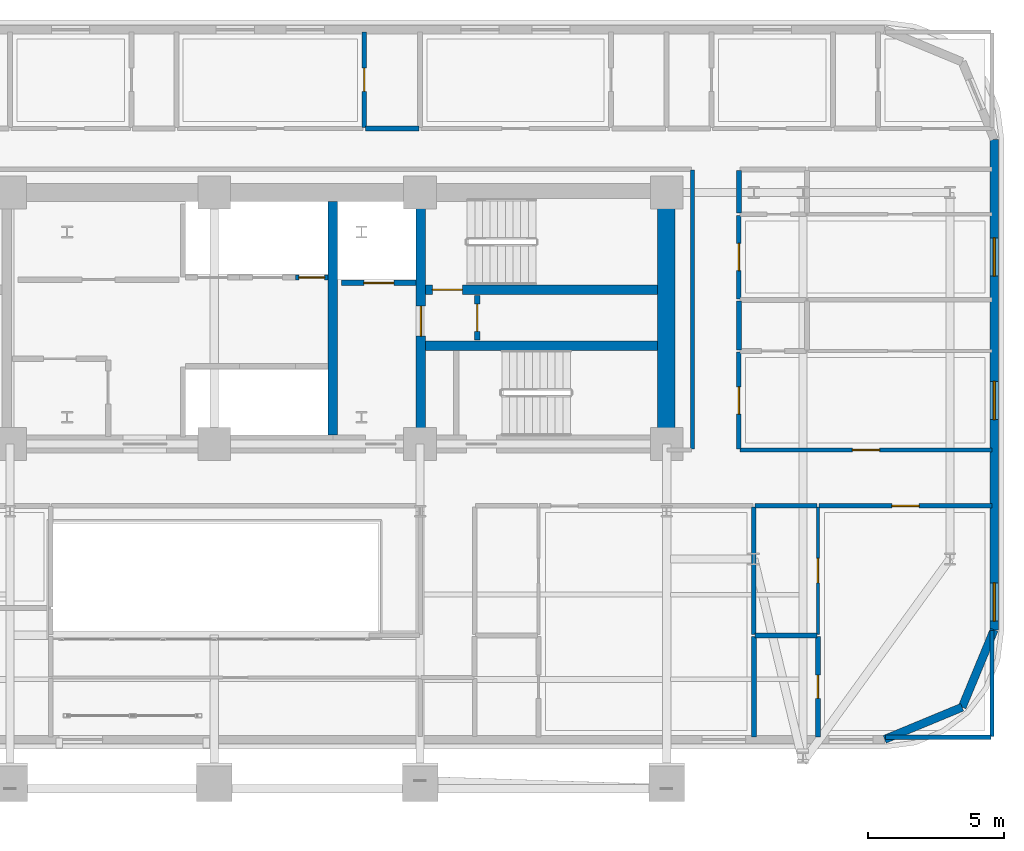
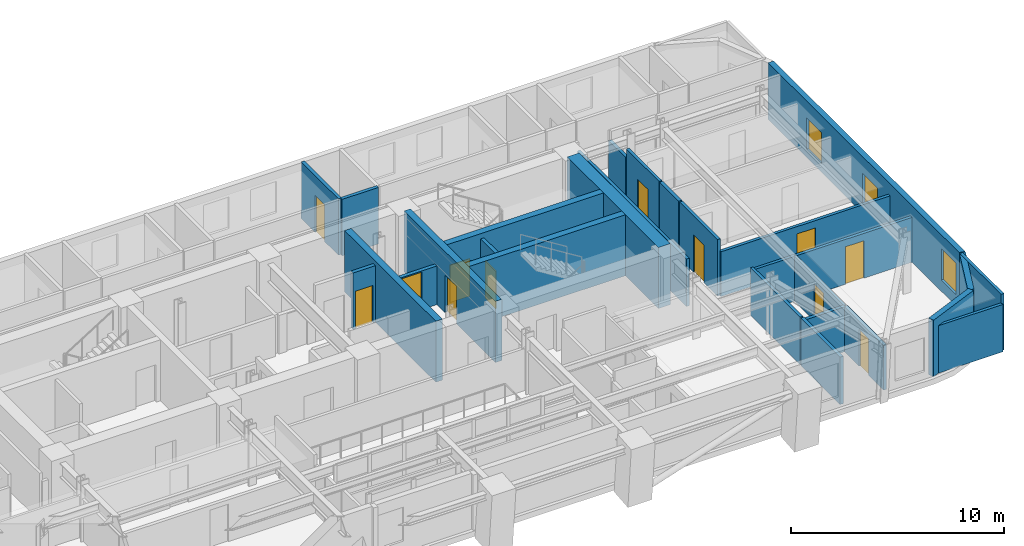
# One storey, part 11 of 16: 28 walls, 12 doors, 3 windows, 15 openings.
"""IFC4 building model written with IfcOpenShell, lengths in metres."""

from ifc_helpers import new_model, si_unit, direction, frame, frame_2d, origin, place, context, subcontext, project, spatial, rectangle, extrude, material, layer, layer_set, type_object, element, fill, save


model = new_model("IFC4")

# Units and contexts
model_context = context("Model", 3, precision=1e-05, world=origin(), true_north=direction((0.0, 1.0)))
body_context = subcontext(model_context, "Body", "Model", "MODEL_VIEW")
ifc_project = project(units=[si_unit("LENGTHUNIT", "METRE"), si_unit("AREAUNIT", "SQUARE_METRE"), si_unit("VOLUMEUNIT", "CUBIC_METRE"), si_unit("PLANEANGLEUNIT", "RADIAN"), si_unit("MASSUNIT", "GRAM", prefix="KILO")], contexts=[model_context])

# Site, building, storey
site_placement = place(None, origin())
site = spatial("IfcSite", under=ifc_project, at=site_placement, CompositionType="ELEMENT")
building_placement = place(site_placement, origin())
building = spatial("IfcBuilding", under=site, at=building_placement, Name="Zarnavel Station Tower", CompositionType="ELEMENT")
storey_placement = place(building_placement, frame((0.0, 0.0, 118.800048828125)))
storey = spatial("IfcBuildingStorey", under=building, at=storey_placement, Name="L32", CompositionType="ELEMENT", Elevation=118.800048828125)

# Wall
ifc_material_1 = material(Name="Concrete C50/60", Category="concrete")
ifc_layer_1 = layer(ifc_material_1, 0.35009765625)
ifc_layer_set_1 = layer_set([ifc_layer_1], Name="CW_350")
wall_type_1 = type_object("IfcWallType", Name="CW_350", PredefinedType="SHEAR", material=ifc_layer_set_1)
wall_1_placement = place(storey_placement, frame((33.14990234375, 28.14501953125, 0.0), z_axis=(0.0, 0.0, 1.0), x_axis=(0.0, 1.0, 0.0)))
element("IfcWall", 1, at=wall_1_placement, inside=storey, type_object=wall_type_1, Name="L32 Rear Core Shear Wall DIV-E", PredefinedType="SHEAR", context=body_context, shape_type="SweptSolid", body=[
    extrude(rectangle(XDim=8.580078125, YDim=0.35009765625, at=frame_2d((4.2900390625, 0.0))), origin(), (0.0, 0.0, 1.0), 3.5),
])

# Wall, opening, door
wall_2_placement = place(storey_placement, frame((36.3798828125, 28.14501953125, 0.0), z_axis=(0.0, 0.0, 1.0), x_axis=(0.0, 1.0, 0.0)))
wall_2 = element("IfcWall", 2, at=wall_2_placement, inside=storey, type_object=wall_type_1, Name="L32 Rear Core Shear Wall DIV-S2", PredefinedType="SHEAR", context=body_context, shape_type="SweptSolid", body=[
    extrude(rectangle(XDim=8.580078125, YDim=0.35009765625, at=frame_2d((4.2900390625, 0.0))), origin(), (0.0, 0.0, 1.0), 3.5),
])
opening_1_placement = place(wall_2_placement, frame((3.635009765625, 0.0, 0.0)))
opening_1 = element("IfcOpeningElement", 3, at=opening_1_placement, cuts=wall_2, Name="Opening FD01", PredefinedType="OPENING", context=body_context, shape_type="SweptSolid", body=[
    extrude(rectangle(XDim=1.10009765625, YDim=2.14990234375, at=frame_2d((0.550048828125, 1.074951171875))), frame((0.0, 0.18505859375, 0.0), z_axis=(0.0, -1.0, 0.0), x_axis=(1.0, 0.0, 0.0)), (0.0, 0.0, 1.0), 0.3701171875),
])
ifc_material_2 = material(Name="Painted Galvanised Steel and Hardwood Leaf", Category="steel")
door_type_1 = type_object("IfcDoorType", Name="ID_STAIR_1100", OperationType="NOTDEFINED", PredefinedType="DOOR", material=ifc_material_2)
door_1_placement = place(opening_1_placement, origin())
door_1 = element("IfcDoor", 4, at=door_1_placement, inside=storey, type_object=door_type_1, Name="L32 East Stair Vestibule Fire Door", OperationType="SINGLE_SWING_LEFT", OverallHeight=2.14990234375, OverallWidth=1.10009765625, PredefinedType="DOOR", context=body_context, shape_type="SweptSolid", body=[
    extrude(rectangle(XDim=1.10009765625, YDim=2.14990234375, at=frame_2d((0.550048828125, 1.074951171875))), frame((0.0, 0.02490234375, 0.0), z_axis=(0.0, -1.0, 0.0), x_axis=(1.0, 0.0, 0.0)), (0.0, 0.0, 1.0), 0.050048828125),
])
fill(opening_1, door_1)

wall_3_placement = place(storey_placement, frame((45.054931640625, 33.47998046875, 0.0), z_axis=(0.0, 0.0, 1.0), x_axis=(-1.0, 0.0, 0.0)))
wall_3 = element("IfcWall", 5, at=wall_3_placement, inside=storey, type_object=wall_type_1, Name="L32 Rear Core Shear Wall DIV-H2", PredefinedType="SHEAR", context=body_context, shape_type="SweptSolid", body=[
    extrude(rectangle(XDim=8.5, YDim=0.35009765625, at=frame_2d((4.25, 0.0))), origin(), (0.0, 0.0, 1.0), 3.5),
])
opening_2_placement = place(wall_3_placement, frame((7.155029296875, 0.0, 0.0)))
opening_2 = element("IfcOpeningElement", 6, at=opening_2_placement, cuts=wall_3, Name="Opening FD01", PredefinedType="OPENING", context=body_context, shape_type="SweptSolid", body=[
    extrude(rectangle(XDim=1.10009765625, YDim=2.14990234375, at=frame_2d((0.550048828125, 1.074951171875))), frame((0.0, 0.18505859375, 0.0), z_axis=(0.0, -1.0, 0.0), x_axis=(1.0, 0.0, 0.0)), (0.0, 0.0, 1.0), 0.3701171875),
])
door_2_placement = place(opening_2_placement, origin())
door_2 = element("IfcDoor", 7, at=door_2_placement, inside=storey, type_object=door_type_1, Name="L32 Stair ST2 Lobby Fire Door", OperationType="SINGLE_SWING_RIGHT", OverallHeight=2.14990234375, OverallWidth=1.10009765625, PredefinedType="DOOR", context=body_context, shape_type="SweptSolid", body=[
    extrude(rectangle(XDim=1.10009765625, YDim=2.14990234375, at=frame_2d((0.550048828125, 1.074951171875))), frame((0.0, 0.02490234375, 0.0), z_axis=(0.0, -1.0, 0.0), x_axis=(1.0, 0.0, 0.0)), (0.0, 0.0, 1.0), 0.050048828125),
])
fill(opening_2, door_2)

# Walls
wall_4_placement = place(storey_placement, frame((36.554931640625, 31.419921875, 0.0), z_axis=(0.0, 0.0, 1.0), x_axis=(1.0, 0.0, 0.0)))
element("IfcWall", 8, at=wall_4_placement, inside=storey, type_object=wall_type_1, Name="L32 Rear Core Shear Wall DIV-H3", PredefinedType="SHEAR", context=body_context, shape_type="SweptSolid", body=[
    extrude(rectangle(XDim=8.5, YDim=0.35009765625, at=frame_2d((4.25, 0.0))), origin(), (0.0, 0.0, 1.0), 3.5),
])
ifc_material_3 = material(Name="Concrete C60/75", Category="concrete")
ifc_layer_2 = layer(ifc_material_3, 0.64990234375)
ifc_layer_set_2 = layer_set([ifc_layer_2], Name="CW_650")
wall_type_2 = type_object("IfcWallType", Name="CW_650", PredefinedType="SHEAR", material=ifc_layer_set_2)
wall_5_placement = place(storey_placement, frame((45.3798828125, 28.14501953125, 0.0), z_axis=(0.0, 0.0, 1.0), x_axis=(0.0, 1.0, 0.0)))
element("IfcWall", 9, at=wall_5_placement, inside=storey, type_object=wall_type_2, Name="L32 Rear Core Shear Wall E", PredefinedType="SHEAR", context=body_context, shape_type="SweptSolid", body=[
    extrude(rectangle(XDim=8.580078125, YDim=0.64990234375, at=frame_2d((4.2900390625, 0.0))), origin(), (0.0, 0.0, 1.0), 3.5),
])
ifc_material_4 = material(Name="Precast concrete C45/55 (Dark Basalt Finish)", Category="masonry")
ifc_layer_3 = layer(ifc_material_4, 0.300048828125)
ifc_layer_set_3 = layer_set([ifc_layer_3], Name="EW_BASALT_300")
wall_type_3 = type_object("IfcWallType", Name="EW_BASALT_300", PredefinedType="SOLIDWALL", material=ifc_layer_set_3)
wall_6_placement = place(storey_placement, frame((56.24267578125, 18.157470703125, 0.0), z_axis=(0.0, 0.0, 1.0), x_axis=(-0.923882414032, -0.382676475685, 0.0)))
element("IfcWall", 10, at=wall_6_placement, inside=storey, type_object=wall_type_3, Name="L32 Exterior Basalt Masonry Frame Wall 01", PredefinedType="SOLIDWALL", context=body_context, shape_type="SweptSolid", body=[
    extrude(rectangle(XDim=3.076904296875, YDim=0.300048828125, at=frame_2d((1.53857421875, 0.0))), origin(), (0.0, 0.0, 1.0), 3.239990234375),
])
wall_7_placement = place(storey_placement, frame((57.419921875, 21.0, 0.0), z_axis=(0.0, 0.0, 1.0), x_axis=(-0.382636798336, -0.92389884758, 0.0)))
element("IfcWall", 11, at=wall_7_placement, inside=storey, type_object=wall_type_3, Name="L32 Exterior Basalt Masonry Frame Wall 02", PredefinedType="SOLIDWALL", context=body_context, shape_type="SweptSolid", body=[
    extrude(rectangle(XDim=3.07666015625, YDim=0.300048828125, at=frame_2d((1.538330078125, 0.0))), origin(), (0.0, 0.0, 1.0), 3.239990234375),
])

# Wall, openings, windows
wall_8_placement = place(storey_placement, frame((57.419921875, 39.0, 0.0), z_axis=(0.0, 0.0, 1.0), x_axis=(0.0, -1.0, 0.0)))
wall_8 = element("IfcWall", 12, at=wall_8_placement, inside=storey, type_object=wall_type_3, Name="L32 Exterior Basalt Masonry Frame Wall 03", PredefinedType="SOLIDWALL", context=body_context, shape_type="SweptSolid", body=[
    extrude(rectangle(XDim=18.0, YDim=0.300048828125, at=frame_2d((9.0, 0.0))), origin(), (0.0, 0.0, 1.0), 3.239990234375),
])
opening_3_placement = place(wall_8_placement, frame((8.882080078125, 0.0, 0.47998046875)))
opening_3 = element("IfcOpeningElement", 13, at=opening_3_placement, cuts=wall_8, Name="Opening WN01", PredefinedType="OPENING", context=body_context, shape_type="SweptSolid", body=[
    extrude(rectangle(XDim=1.39990234375, YDim=1.800048828125, at=frame_2d((0.699951171875, 0.89990234375))), frame((0.0, 0.159912109375, 0.0), z_axis=(0.0, -1.0, 0.0), x_axis=(1.0, 0.0, 0.0)), (0.0, 0.0, 1.0), 0.320068359375),
])
opening_4_placement = place(wall_8_placement, frame((3.62060546875, 0.0, 0.47998046875)))
opening_4 = element("IfcOpeningElement", 14, at=opening_4_placement, cuts=wall_8, Name="Opening WN01", PredefinedType="OPENING", context=body_context, shape_type="SweptSolid", body=[
    extrude(rectangle(XDim=1.39990234375, YDim=1.800048828125, at=frame_2d((0.699951171875, 0.89990234375))), frame((0.0, 0.159912109375, 0.0), z_axis=(0.0, -1.0, 0.0), x_axis=(1.0, 0.0, 0.0)), (0.0, 0.0, 1.0), 0.320068359375),
])
opening_5_placement = place(wall_8_placement, frame((16.280029296875, 0.0, 0.64990234375)))
opening_5 = element("IfcOpeningElement", 15, at=opening_5_placement, cuts=wall_8, Name="Opening WN01", PredefinedType="OPENING", context=body_context, shape_type="SweptSolid", body=[
    extrude(rectangle(XDim=1.39990234375, YDim=1.800048828125, at=frame_2d((0.699951171875, 0.89990234375))), frame((0.0, 0.159912109375, 0.0), z_axis=(0.0, -1.0, 0.0), x_axis=(1.0, 0.0, 0.0)), (0.0, 0.0, 1.0), 0.320068359375),
])
ifc_material_5 = material(Name="Thermally Broken Black Aluminium and Low-E Dark Glass", Category="aluminium")
window_type = type_object("IfcWindowType", Name="WN_1400x1800", PartitioningType="DOUBLE_PANEL_VERTICAL", PredefinedType="WINDOW", material=ifc_material_5)
window_1_placement = place(opening_3_placement, origin())
window_1 = element("IfcWindow", 16, at=window_1_placement, inside=storey, type_object=window_type, Name="L32 Recessed Facade Window 01", OverallHeight=1.800048828125, OverallWidth=1.39990234375, PartitioningType="SINGLE_PANEL", PredefinedType="WINDOW", context=body_context, shape_type="SweptSolid", body=[
    extrude(rectangle(XDim=1.39990234375, YDim=1.800048828125, at=frame_2d((0.699951171875, 0.89990234375))), frame((0.0, 0.030029296875, 0.0), z_axis=(0.0, -1.0, 0.0), x_axis=(1.0, 0.0, 0.0)), (0.0, 0.0, 1.0), 0.06005859375),
])
fill(opening_3, window_1)
window_2_placement = place(opening_4_placement, origin())
window_2 = element("IfcWindow", 17, at=window_2_placement, inside=storey, type_object=window_type, Name="L32 Recessed Facade Window 02", OverallHeight=1.800048828125, OverallWidth=1.39990234375, PartitioningType="SINGLE_PANEL", PredefinedType="WINDOW", context=body_context, shape_type="SweptSolid", body=[
    extrude(rectangle(XDim=1.39990234375, YDim=1.800048828125, at=frame_2d((0.699951171875, 0.89990234375))), frame((0.0, 0.030029296875, 0.0), z_axis=(0.0, -1.0, 0.0), x_axis=(1.0, 0.0, 0.0)), (0.0, 0.0, 1.0), 0.06005859375),
])
fill(opening_4, window_2)
window_3_placement = place(opening_5_placement, origin())
window_3 = element("IfcWindow", 18, at=window_3_placement, inside=storey, type_object=window_type, Name="L32 Recessed Facade Window 03", OverallHeight=1.800048828125, OverallWidth=1.39990234375, PartitioningType="SINGLE_PANEL", PredefinedType="WINDOW", context=body_context, shape_type="SweptSolid", body=[
    extrude(rectangle(XDim=1.39990234375, YDim=1.800048828125, at=frame_2d((0.699951171875, 0.89990234375))), frame((0.0, 0.030029296875, 0.0), z_axis=(0.0, -1.0, 0.0), x_axis=(1.0, 0.0, 0.0)), (0.0, 0.0, 1.0), 0.06005859375),
])
fill(opening_5, window_3)

# Wall, opening, door
ifc_material_6 = material(Name="Gypsum Twin-Stud Acoustic Fire Partition", Category="concrete")
ifc_layer_4 = layer(ifc_material_6, 0.159912109375)
ifc_layer_set_4 = layer_set([ifc_layer_4], Name="PT_DEMISE_160")
wall_type_4 = type_object("IfcWallType", Name="PT_DEMISE_160", PredefinedType="PARTITIONING", material=ifc_layer_set_4)
wall_9_placement = place(storey_placement, frame((48.090087890625, 27.60009765625, 0.0), z_axis=(0.0, 0.0, 1.0), x_axis=(1.0, 0.0, 0.0)))
wall_9 = element("IfcWall", 19, at=wall_9_placement, inside=storey, type_object=wall_type_4, Name="L32 Partition COR-S-FNE1R", PredefinedType="PARTITIONING", context=body_context, shape_type="SweptSolid", body=[
    extrude(rectangle(XDim=9.25, YDim=0.159912109375, at=frame_2d((4.625, 0.0))), origin(), (0.0, 0.0, 1.0), 2.570068359375),
])
opening_6_placement = place(wall_9_placement, frame((4.125, 0.0, 0.0)))
opening_6 = element("IfcOpeningElement", 20, at=opening_6_placement, cuts=wall_9, Name="Opening FD02", PredefinedType="OPENING", context=body_context, shape_type="SweptSolid", body=[
    extrude(rectangle(XDim=1.0, YDim=2.14990234375, at=frame_2d((0.5, 1.074951171875))), frame((0.0, 0.08984375, 0.0), z_axis=(0.0, -1.0, 0.0), x_axis=(1.0, 0.0, 0.0)), (0.0, 0.0, 1.0), 0.179931640625),
])
ifc_material_7 = material(Name="Painted Galvanised Steel and Hardwood Leaf", Category="steel")
door_type_2 = type_object("IfcDoorType", Name="ID_ENTRY_1000", OperationType="NOTDEFINED", PredefinedType="DOOR", material=ifc_material_7)
door_3_placement = place(opening_6_placement, origin())
door_3 = element("IfcDoor", 21, at=door_3_placement, inside=storey, type_object=door_type_2, Name="L32 Door COR-S-FNE1R", OperationType="SINGLE_SWING_RIGHT", OverallHeight=2.14990234375, OverallWidth=1.0, PredefinedType="DOOR", context=body_context, shape_type="SweptSolid", body=[
    extrude(rectangle(XDim=1.0, YDim=2.14990234375, at=frame_2d((0.5, 1.074951171875))), frame((0.0, 0.02490234375, 0.0), z_axis=(0.0, -1.0, 0.0), x_axis=(1.0, 0.0, 0.0)), (0.0, 0.0, 1.0), 0.050048828125),
])
fill(opening_6, door_3)

wall_10_placement = place(storey_placement, frame((50.989990234375, 25.550048828125, 0.0), z_axis=(0.0, 0.0, 1.0), x_axis=(1.0, 0.0, 0.0)))
wall_10 = element("IfcWall", 22, at=wall_10_placement, inside=storey, type_object=wall_type_4, Name="L32 Partition COR-S-HE2R", PredefinedType="PARTITIONING", context=body_context, shape_type="SweptSolid", body=[
    extrude(rectangle(XDim=6.35009765625, YDim=0.159912109375, at=frame_2d((3.175048828125, 0.0))), origin(), (0.0, 0.0, 1.0), 2.570068359375),
])
opening_7_placement = place(wall_10_placement, frame((2.675048828125, 0.0, 0.0)))
opening_7 = element("IfcOpeningElement", 23, at=opening_7_placement, cuts=wall_10, Name="Opening FD02", PredefinedType="OPENING", context=body_context, shape_type="SweptSolid", body=[
    extrude(rectangle(XDim=1.0, YDim=2.14990234375, at=frame_2d((0.5, 1.074951171875))), frame((0.0, 0.08984375, 0.0), z_axis=(0.0, -1.0, 0.0), x_axis=(1.0, 0.0, 0.0)), (0.0, 0.0, 1.0), 0.179931640625),
])
door_4_placement = place(opening_7_placement, origin())
door_4 = element("IfcDoor", 24, at=door_4_placement, inside=storey, type_object=door_type_2, Name="L32 Door COR-S-HE2R", OperationType="SINGLE_SWING_RIGHT", OverallHeight=2.14990234375, OverallWidth=1.0, PredefinedType="DOOR", context=body_context, shape_type="SweptSolid", body=[
    extrude(rectangle(XDim=1.0, YDim=2.14990234375, at=frame_2d((0.5, 1.074951171875))), frame((0.0, 0.02490234375, 0.0), z_axis=(0.0, -1.0, 0.0), x_axis=(1.0, 0.0, 0.0)), (0.0, 0.0, 1.0), 0.050048828125),
])
fill(opening_7, door_4)

# Wall
wall_11_placement = place(storey_placement, frame((48.639892578125, 25.550048828125, 0.0), z_axis=(0.0, 0.0, 1.0), x_axis=(1.0, 0.0, 0.0)))
element("IfcWall", 25, at=wall_11_placement, inside=storey, type_object=wall_type_4, Name="L32 Partition COR-S-HE2S", PredefinedType="PARTITIONING", context=body_context, shape_type="SweptSolid", body=[
    extrude(rectangle(XDim=2.27001953125, YDim=0.159912109375, at=frame_2d((1.135009765625, 0.0))), origin(), (0.0, 0.0, 1.0), 2.570068359375),
])

# Wall, opening, door
wall_12_placement = place(storey_placement, frame((48.050048828125, 27.639892578125, 0.0), z_axis=(0.0, 0.0, 1.0), x_axis=(0.0, 1.0, 0.0)))
wall_12 = element("IfcWall", 26, at=wall_12_placement, inside=storey, type_object=wall_type_4, Name="L32 Partition COR-E-FNE1R", PredefinedType="PARTITIONING", context=body_context, shape_type="SweptSolid", body=[
    extrude(rectangle(XDim=3.55615234375, YDim=0.159912109375, at=frame_2d((1.778076171875, 0.0))), origin(), (0.0, 0.0, 1.0), 3.239990234375),
])
opening_8_placement = place(wall_12_placement, frame((1.278076171875, 0.0, 0.0)))
opening_8 = element("IfcOpeningElement", 27, at=opening_8_placement, cuts=wall_12, Name="Opening FD02", PredefinedType="OPENING", context=body_context, shape_type="SweptSolid", body=[
    extrude(rectangle(XDim=1.0, YDim=2.14990234375, at=frame_2d((0.5, 1.074951171875))), frame((0.0, 0.08984375, 0.0), z_axis=(0.0, -1.0, 0.0), x_axis=(1.0, 0.0, 0.0)), (0.0, 0.0, 1.0), 0.179931640625),
])
door_5_placement = place(opening_8_placement, origin())
door_5 = element("IfcDoor", 28, at=door_5_placement, inside=storey, type_object=door_type_2, Name="L32 Door COR-E-FNE1R", OperationType="SINGLE_SWING_LEFT", OverallHeight=2.14990234375, OverallWidth=1.0, PredefinedType="DOOR", context=body_context, shape_type="SweptSolid", body=[
    extrude(rectangle(XDim=1.0, YDim=2.14990234375, at=frame_2d((0.5, 1.074951171875))), frame((0.0, 0.02490234375, 0.0), z_axis=(0.0, -1.0, 0.0), x_axis=(1.0, 0.0, 0.0)), (0.0, 0.0, 1.0), 0.050048828125),
])
fill(opening_8, door_5)

wall_13_placement = place(storey_placement, frame((48.050048828125, 33.14892578125, 0.0), z_axis=(0.0, 0.0, 1.0), x_axis=(0.0, 1.0, 0.0)))
wall_13 = element("IfcWall", 29, at=wall_13_placement, inside=storey, type_object=wall_type_4, Name="L32 Partition COR-E-FNE2R", PredefinedType="PARTITIONING", context=body_context, shape_type="SweptSolid", body=[
    extrude(rectangle(XDim=3.06103515625, YDim=0.159912109375, at=frame_2d((1.530517578125, 0.0))), origin(), (0.0, 0.0, 1.0), 3.239990234375),
])
opening_9_placement = place(wall_13_placement, frame((1.030517578125, 0.0, 0.0)))
opening_9 = element("IfcOpeningElement", 30, at=opening_9_placement, cuts=wall_13, Name="Opening FD02", PredefinedType="OPENING", context=body_context, shape_type="SweptSolid", body=[
    extrude(rectangle(XDim=1.0, YDim=2.14990234375, at=frame_2d((0.5, 1.074951171875))), frame((0.0, 0.08984375, 0.0), z_axis=(0.0, -1.0, 0.0), x_axis=(1.0, 0.0, 0.0)), (0.0, 0.0, 1.0), 0.179931640625),
])
door_6_placement = place(opening_9_placement, origin())
door_6 = element("IfcDoor", 31, at=door_6_placement, inside=storey, type_object=door_type_2, Name="L32 Door COR-E-FNE2R", OperationType="SINGLE_SWING_RIGHT", OverallHeight=2.14990234375, OverallWidth=1.0, PredefinedType="DOOR", context=body_context, shape_type="SweptSolid", body=[
    extrude(rectangle(XDim=1.0, YDim=2.14990234375, at=frame_2d((0.5, 1.074951171875))), frame((0.0, 0.02490234375, 0.0), z_axis=(0.0, -1.0, 0.0), x_axis=(1.0, 0.0, 0.0)), (0.0, 0.0, 1.0), 0.050048828125),
])
fill(opening_9, door_6)

# Walls
wall_14_placement = place(storey_placement, frame((48.60009765625, 20.8359375, 0.0), z_axis=(0.0, 0.0, 1.0), x_axis=(0.0, 1.0, 0.0)))
element("IfcWall", 32, at=wall_14_placement, inside=storey, type_object=wall_type_4, Name="L32 Partition HE1R-HE2S", PredefinedType="PARTITIONING", context=body_context, shape_type="SweptSolid", body=[
    extrude(rectangle(XDim=4.674072265625, YDim=0.159912109375, at=frame_2d((2.3369140625, 0.0))), origin(), (0.0, 0.0, 1.0), 2.719970703125),
])
wall_15_placement = place(storey_placement, frame((46.35009765625, 27.6298828125, 0.0), z_axis=(0.0, 0.0, 1.0), x_axis=(0.0, 1.0, 0.0)))
element("IfcWall", 33, at=wall_15_placement, inside=storey, type_object=wall_type_4, Name="L32 Enclosure Wall COR-E", PredefinedType="PARTITIONING", context=body_context, shape_type="SweptSolid", body=[
    extrude(rectangle(XDim=10.240234375, YDim=0.159912109375, at=frame_2d((5.1201171875, 0.0))), origin(), (0.0, 0.0, 1.0), 2.719970703125),
])
wall_16_placement = place(storey_placement, frame((53.429931640625, 17.06005859375, 0.0), z_axis=(0.0, 0.0, 1.0), x_axis=(1.0, 0.0, 0.0)))
element("IfcWall", 34, at=wall_16_placement, inside=storey, type_object=wall_type_4, Name="L32 Enclosure Wall HE2R", PredefinedType="PARTITIONING", context=body_context, shape_type="SweptSolid", body=[
    extrude(rectangle(XDim=3.880126953125, YDim=0.159912109375, at=frame_2d((1.93994140625, 0.0))), origin(), (0.0, 0.0, 1.0), 2.719970703125),
])
wall_17_placement = place(storey_placement, frame((57.340087890625, 17.090087890625, 0.0), z_axis=(0.0, 0.0, 1.0), x_axis=(0.0, 1.0, 0.0)))
element("IfcWall", 35, at=wall_17_placement, inside=storey, type_object=wall_type_4, Name="L32 Enclosure Wall HE2R", PredefinedType="PARTITIONING", context=body_context, shape_type="SweptSolid", body=[
    extrude(rectangle(XDim=3.8798828125, YDim=0.159912109375, at=frame_2d((1.93994140625, 0.0))), origin(), (0.0, 0.0, 1.0), 3.239990234375),
])

# Wall, opening, door
ifc_material_8 = material(Name="Gypsum Metal-Stud Interior Partition", Category="concrete")
ifc_layer_5 = layer(ifc_material_8, 0.1201171875)
ifc_layer_set_5 = layer_set([ifc_layer_5], Name="PT_ROOM_120")
wall_type_5 = type_object("IfcWallType", Name="PT_ROOM_120", PredefinedType="PARTITIONING", material=ifc_layer_set_5)
wall_18_placement = place(storey_placement, frame((50.949951171875, 20.8359375, 0.0), z_axis=(0.0, 0.0, 1.0), x_axis=(0.0, 1.0, 0.0)))
wall_18 = element("IfcWall", 36, at=wall_18_placement, inside=storey, type_object=wall_type_5, Name="L32 Partition HE2R-HE2S", PredefinedType="PARTITIONING", context=body_context, shape_type="SweptSolid", body=[
    extrude(rectangle(XDim=4.674072265625, YDim=0.1201171875, at=frame_2d((2.3369140625, 0.0))), origin(), (0.0, 0.0, 1.0), 2.570068359375),
])
opening_10_placement = place(wall_18_placement, frame((1.886962890625, 0.0, 0.0)))
opening_10 = element("IfcOpeningElement", 37, at=opening_10_placement, cuts=wall_18, Name="Opening ID01", PredefinedType="OPENING", context=body_context, shape_type="SweptSolid", body=[
    extrude(rectangle(XDim=0.89990234375, YDim=2.10009765625, at=frame_2d((0.449951171875, 1.050048828125))), frame((0.0, 0.070068359375, 0.0), z_axis=(0.0, -1.0, 0.0), x_axis=(1.0, 0.0, 0.0)), (0.0, 0.0, 1.0), 0.14013671875),
])
ifc_material_9 = material(Name="Painted Galvanised Steel and Hardwood Leaf", Category="steel")
door_type_3 = type_object("IfcDoorType", Name="ID_ROOM_900", OperationType="NOTDEFINED", PredefinedType="DOOR", material=ifc_material_9)
door_7_placement = place(opening_10_placement, origin())
door_7 = element("IfcDoor", 38, at=door_7_placement, inside=storey, type_object=door_type_3, Name="L32 Door HE2R-HE2S", OperationType="SINGLE_SWING_LEFT", OverallHeight=2.10009765625, OverallWidth=0.89990234375, PredefinedType="DOOR", context=body_context, shape_type="SweptSolid", body=[
    extrude(rectangle(XDim=0.89990234375, YDim=2.10009765625, at=frame_2d((0.449951171875, 1.050048828125))), frame((0.0, 0.02490234375, 0.0), z_axis=(0.0, -1.0, 0.0), x_axis=(1.0, 0.0, 0.0)), (0.0, 0.0, 1.0), 0.050048828125),
])
fill(opening_10, door_7)

ifc_material_10 = material(Name="Precast concrete C45/55 (Fire Shaft Blockwork)", Category="masonry")
ifc_layer_6 = layer(ifc_material_10, 0.199951171875)
ifc_layer_set_6 = layer_set([ifc_layer_6], Name="PT_SHAFT_200")
wall_type_6 = type_object("IfcWallType", Name="PT_SHAFT_200", PredefinedType="PARTITIONING", material=ifc_layer_set_6)
wall_19_placement = place(storey_placement, frame((33.47509765625, 33.72998046875, 0.0), z_axis=(0.0, 0.0, 1.0), x_axis=(1.0, 0.0, 0.0)))
wall_19 = element("IfcWall", 39, at=wall_19_placement, inside=storey, type_object=wall_type_6, Name="L32 Lift FFL-02 Shaft Front Wall", PredefinedType="PARTITIONING", context=body_context, shape_type="SweptSolid", body=[
    extrude(rectangle(XDim=2.724853515625, YDim=0.199951171875, at=frame_2d((1.3623046875, 0.0))), origin(), (0.0, 0.0, 1.0), 2.2119140625),
])
opening_11_placement = place(wall_19_placement, frame((0.8125, 0.0, 0.0)))
opening_11 = element("IfcOpeningElement", 40, at=opening_11_placement, cuts=wall_19, Name="Opening LD01", PredefinedType="OPENING", context=body_context, shape_type="SweptSolid", body=[
    extrude(rectangle(XDim=1.10009765625, YDim=2.14990234375, at=frame_2d((0.550048828125, 1.074951171875))), frame((0.0, 0.10986328125, 0.0), z_axis=(0.0, -1.0, 0.0), x_axis=(1.0, 0.0, 0.0)), (0.0, 0.0, 1.0), 0.219970703125),
])
ifc_material_11 = material(Name="Painted Galvanised Steel and Hardwood Leaf", Category="steel")
door_type_4 = type_object("IfcDoorType", Name="LD_FF_1100", OperationType="DOUBLE_DOOR_SLIDING", PredefinedType="DOOR", material=ifc_material_11)
door_8_placement = place(opening_11_placement, origin())
door_8 = element("IfcDoor", 41, at=door_8_placement, inside=storey, type_object=door_type_4, Name="L32 Lift FFL-02 Sliding Landing Door", OperationType="DOUBLE_DOOR_SLIDING", OverallHeight=2.14990234375, OverallWidth=1.10009765625, PredefinedType="DOOR", context=body_context, shape_type="SweptSolid", body=[
    extrude(rectangle(XDim=1.10009765625, YDim=2.14990234375, at=frame_2d((0.550048828125, 1.074951171875))), frame((0.0, 0.02490234375, 0.0), z_axis=(0.0, -1.0, 0.0), x_axis=(1.0, 0.0, 0.0)), (0.0, 0.0, 1.0), 0.050048828125),
])
fill(opening_11, door_8)

wall_20_placement = place(storey_placement, frame((31.77490234375, 33.929931640625, 0.0), z_axis=(0.0, 0.0, 1.0), x_axis=(1.0, 0.0, 0.0)))
wall_20 = element("IfcWall", 42, at=wall_20_placement, inside=storey, type_object=wall_type_6, Name="L32 Lift PL-M3 Shaft Front Wall", PredefinedType="PARTITIONING", context=body_context, shape_type="SweptSolid", body=[
    extrude(rectangle(XDim=1.2001953125, YDim=0.199951171875, at=frame_2d((0.60009765625, 0.0))), origin(), (0.0, 0.0, 1.0), 3.239990234375),
])
opening_12_placement = place(wall_20_placement, frame((0.125, 0.0, 0.0)))
opening_12 = element("IfcOpeningElement", 43, at=opening_12_placement, cuts=wall_20, Name="Opening LD03", PredefinedType="OPENING", context=body_context, shape_type="SweptSolid", body=[
    extrude(rectangle(XDim=0.949951171875, YDim=2.14990234375, at=frame_2d((0.47509765625, 1.074951171875))), frame((0.0, 0.10986328125, 0.0), z_axis=(0.0, -1.0, 0.0), x_axis=(1.0, 0.0, 0.0)), (0.0, 0.0, 1.0), 0.219970703125),
])
ifc_material_12 = material(Name="Painted Galvanised Steel and Hardwood Leaf", Category="steel")
door_type_5 = type_object("IfcDoorType", Name="LD_PAX_0950", OperationType="DOUBLE_DOOR_SLIDING", PredefinedType="DOOR", material=ifc_material_12)
door_9_placement = place(opening_12_placement, origin())
door_9 = element("IfcDoor", 44, at=door_9_placement, inside=storey, type_object=door_type_5, Name="L32 Lift PL-M3 Sliding Landing Door", OperationType="DOUBLE_DOOR_SLIDING", OverallHeight=2.14990234375, OverallWidth=0.949951171875, PredefinedType="DOOR", context=body_context, shape_type="SweptSolid", body=[
    extrude(rectangle(XDim=0.949951171875, YDim=2.14990234375, at=frame_2d((0.47509765625, 1.074951171875))), frame((0.0, 0.02490234375, 0.0), z_axis=(0.0, -1.0, 0.0), x_axis=(1.0, 0.0, 0.0)), (0.0, 0.0, 1.0), 0.050048828125),
])
fill(opening_12, door_9)

wall_21_placement = place(storey_placement, frame((38.449951171875, 31.639892578125, 0.0), z_axis=(0.0, 0.0, 1.0), x_axis=(0.0, 1.0, 0.0)))
wall_21 = element("IfcWall", 45, at=wall_21_placement, inside=storey, type_object=wall_type_6, Name="L32 Partition ESTV-CEA", PredefinedType="PARTITIONING", context=body_context, shape_type="SweptSolid", body=[
    extrude(rectangle(XDim=1.6201171875, YDim=0.199951171875, at=frame_2d((0.81005859375, 0.0))), origin(), (0.0, 0.0, 1.0), 3.239990234375),
])
opening_13_placement = place(wall_21_placement, frame((0.31005859375, 0.0, 0.0)))
opening_13 = element("IfcOpeningElement", 46, at=opening_13_placement, cuts=wall_21, Name="Opening FD02", PredefinedType="OPENING", context=body_context, shape_type="SweptSolid", body=[
    extrude(rectangle(XDim=1.0, YDim=2.14990234375, at=frame_2d((0.5, 1.074951171875))), frame((0.0, 0.10986328125, 0.0), z_axis=(0.0, -1.0, 0.0), x_axis=(1.0, 0.0, 0.0)), (0.0, 0.0, 1.0), 0.219970703125),
])
door_10_placement = place(opening_13_placement, origin())
door_10 = element("IfcDoor", 47, at=door_10_placement, inside=storey, type_object=door_type_2, Name="L32 Door ESTV-CEA", OperationType="SINGLE_SWING_LEFT", OverallHeight=2.14990234375, OverallWidth=1.0, PredefinedType="DOOR", context=body_context, shape_type="SweptSolid", body=[
    extrude(rectangle(XDim=1.0, YDim=2.14990234375, at=frame_2d((0.5, 1.074951171875))), frame((0.0, 0.02490234375, 0.0), z_axis=(0.0, -1.0, 0.0), x_axis=(1.0, 0.0, 0.0)), (0.0, 0.0, 1.0), 0.050048828125),
])
fill(opening_13, door_10)

# Walls
ifc_material_13 = material(Name="Moisture-Resistant Plumbing Chase Wall", Category="concrete")
ifc_layer_7 = layer(ifc_material_13, 0.179931640625)
ifc_layer_set_7 = layer_set([ifc_layer_7], Name="PW_PLUMB_180")
wall_type_7 = type_object("IfcWallType", Name="PW_PLUMB_180", PredefinedType="PLUMBINGWALL", material=ifc_layer_set_7)
wall_22_placement = place(storey_placement, frame((48.050048828125, 31.27587890625, 0.0), z_axis=(0.0, 0.0, 1.0), x_axis=(0.0, 1.0, 0.0)))
element("IfcWall", 48, at=wall_22_placement, inside=storey, type_object=wall_type_7, Name="L32 Partition COR-E-FNE1B", PredefinedType="PLUMBINGWALL", context=body_context, shape_type="SweptSolid", body=[
    extrude(rectangle(XDim=1.793212890625, YDim=0.179931640625, at=frame_2d((0.896484375, 0.0))), origin(), (0.0, 0.0, 1.0), 3.239990234375),
])
wall_23_placement = place(storey_placement, frame((48.050048828125, 36.2900390625, 0.0), z_axis=(0.0, 0.0, 1.0), x_axis=(0.0, 1.0, 0.0)))
element("IfcWall", 49, at=wall_23_placement, inside=storey, type_object=wall_type_7, Name="L32 Partition COR-E-FNE2B", PredefinedType="PLUMBINGWALL", context=body_context, shape_type="SweptSolid", body=[
    extrude(rectangle(XDim=1.570068359375, YDim=0.179931640625, at=frame_2d((0.78515625, 0.0))), origin(), (0.0, 0.0, 1.0), 2.719970703125),
])
wall_24_placement = place(storey_placement, frame((34.340087890625, 39.39990234375, 0.0), z_axis=(0.0, 0.0, 1.0), x_axis=(1.0, 0.0, 0.0)))
element("IfcWall", 50, at=wall_24_placement, inside=storey, type_object=wall_type_7, Name="L32 Partition COR-N-HN3B", PredefinedType="PLUMBINGWALL", context=body_context, shape_type="SweptSolid", body=[
    extrude(rectangle(XDim=1.969970703125, YDim=0.179931640625, at=frame_2d((0.98486328125, 0.0))), origin(), (0.0, 0.0, 1.0), 3.239990234375),
])

# Wall, opening, door
wall_25_placement = place(storey_placement, frame((34.300048828125, 39.43994140625, 0.0), z_axis=(0.0, 0.0, 1.0), x_axis=(0.0, 1.0, 0.0)))
wall_25 = element("IfcWall", 51, at=wall_25_placement, inside=storey, type_object=wall_type_7, Name="L32 Partition HN3R-HN3B", PredefinedType="PLUMBINGWALL", context=body_context, shape_type="SweptSolid", body=[
    extrude(rectangle(XDim=3.5, YDim=0.179931640625, at=frame_2d((1.75, 0.0))), origin(), (0.0, 0.0, 1.0), 3.239990234375),
])
opening_14_placement = place(wall_25_placement, frame((1.324951171875, 0.0, 0.0)))
opening_14 = element("IfcOpeningElement", 52, at=opening_14_placement, cuts=wall_25, Name="Opening ID02", PredefinedType="OPENING", context=body_context, shape_type="SweptSolid", body=[
    extrude(rectangle(XDim=0.85009765625, YDim=2.10009765625, at=frame_2d((0.425048828125, 1.050048828125))), frame((0.0, 0.099853515625, 0.0), z_axis=(0.0, -1.0, 0.0), x_axis=(1.0, 0.0, 0.0)), (0.0, 0.0, 1.0), 0.199951171875),
])
ifc_material_14 = material(Name="Painted Galvanised Steel and Hardwood Leaf", Category="steel")
door_type_6 = type_object("IfcDoorType", Name="ID_BATH_850", OperationType="NOTDEFINED", PredefinedType="DOOR", material=ifc_material_14)
door_11_placement = place(opening_14_placement, origin())
door_11 = element("IfcDoor", 53, at=door_11_placement, inside=storey, type_object=door_type_6, Name="L32 Door HN3R-HN3B", OperationType="SINGLE_SWING_LEFT", OverallHeight=2.10009765625, OverallWidth=0.85009765625, PredefinedType="DOOR", context=body_context, shape_type="SweptSolid", body=[
    extrude(rectangle(XDim=0.85009765625, YDim=2.10009765625, at=frame_2d((0.425048828125, 1.050048828125))), frame((0.0, 0.02490234375, 0.0), z_axis=(0.0, -1.0, 0.0), x_axis=(1.0, 0.0, 0.0)), (0.0, 0.0, 1.0), 0.050048828125),
])
fill(opening_14, door_11)

# Wall
wall_26_placement = place(storey_placement, frame((48.60009765625, 17.06005859375, 0.0), z_axis=(0.0, 0.0, 1.0), x_axis=(0.0, 1.0, 0.0)))
element("IfcWall", 54, at=wall_26_placement, inside=storey, type_object=wall_type_7, Name="L32 Partition HE1R-HE2B", PredefinedType="PLUMBINGWALL", context=body_context, shape_type="SweptSolid", body=[
    extrude(rectangle(XDim=3.696044921875, YDim=0.179931640625, at=frame_2d((1.84814453125, 0.0))), origin(), (0.0, 0.0, 1.0), 2.719970703125),
])

# Wall, opening, door
wall_27_placement = place(storey_placement, frame((50.949951171875, 17.06005859375, 0.0), z_axis=(0.0, 0.0, 1.0), x_axis=(0.0, 1.0, 0.0)))
wall_27 = element("IfcWall", 55, at=wall_27_placement, inside=storey, type_object=wall_type_7, Name="L32 Partition HE2R-HE2B", PredefinedType="PLUMBINGWALL", context=body_context, shape_type="SweptSolid", body=[
    extrude(rectangle(XDim=3.696044921875, YDim=0.179931640625, at=frame_2d((1.84814453125, 0.0))), origin(), (0.0, 0.0, 1.0), 2.570068359375),
])
opening_15_placement = place(wall_27_placement, frame((1.423095703125, 0.0, 0.0)))
opening_15 = element("IfcOpeningElement", 56, at=opening_15_placement, cuts=wall_27, Name="Opening ID02", PredefinedType="OPENING", context=body_context, shape_type="SweptSolid", body=[
    extrude(rectangle(XDim=0.85009765625, YDim=2.10009765625, at=frame_2d((0.425048828125, 1.050048828125))), frame((0.0, 0.099853515625, 0.0), z_axis=(0.0, -1.0, 0.0), x_axis=(1.0, 0.0, 0.0)), (0.0, 0.0, 1.0), 0.199951171875),
])
door_12_placement = place(opening_15_placement, origin())
door_12 = element("IfcDoor", 57, at=door_12_placement, inside=storey, type_object=door_type_6, Name="L32 Door HE2R-HE2B", OperationType="SINGLE_SWING_RIGHT", OverallHeight=2.10009765625, OverallWidth=0.85009765625, PredefinedType="DOOR", context=body_context, shape_type="SweptSolid", body=[
    extrude(rectangle(XDim=0.85009765625, YDim=2.10009765625, at=frame_2d((0.425048828125, 1.050048828125))), frame((0.0, 0.02490234375, 0.0), z_axis=(0.0, -1.0, 0.0), x_axis=(1.0, 0.0, 0.0)), (0.0, 0.0, 1.0), 0.050048828125),
])
fill(opening_15, door_12)

# Wall
wall_28_placement = place(storey_placement, frame((48.639892578125, 20.7958984375, 0.0), z_axis=(0.0, 0.0, 1.0), x_axis=(1.0, 0.0, 0.0)))
element("IfcWall", 58, at=wall_28_placement, inside=storey, type_object=wall_type_7, Name="L32 Partition HE2B-HE2S", PredefinedType="PLUMBINGWALL", context=body_context, shape_type="SweptSolid", body=[
    extrude(rectangle(XDim=2.27001953125, YDim=0.179931640625, at=frame_2d((1.135009765625, 0.0))), origin(), (0.0, 0.0, 1.0), 2.570068359375),
])

save(model, "model.ifc")
